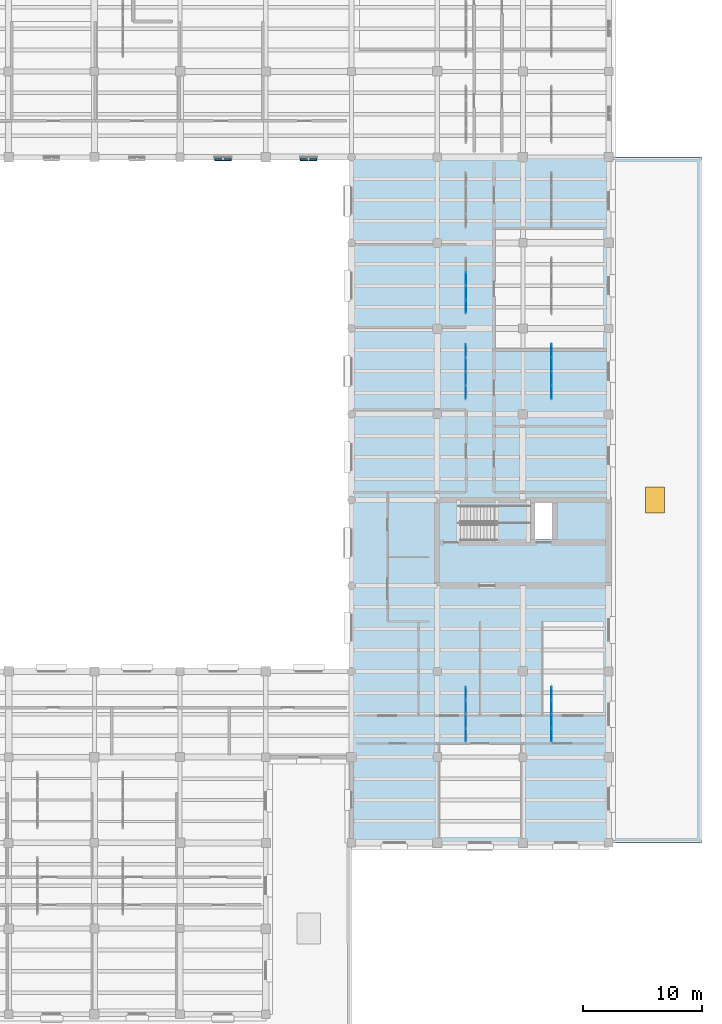
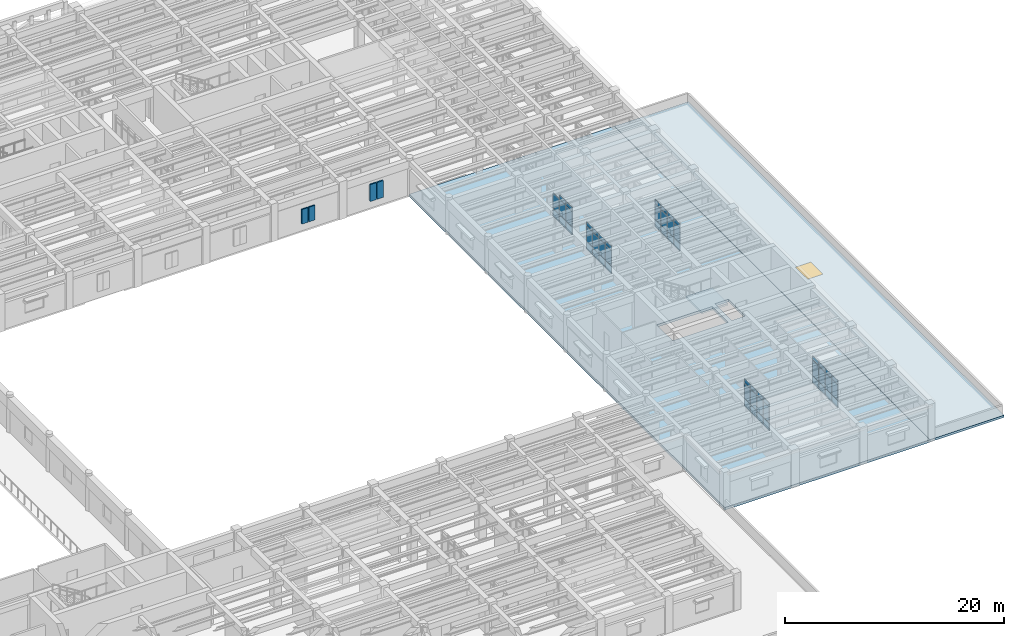
# One storey, part 44 of 76: 60 plates, 3 slabs, 1 window, 1 opening, 6 elements without a shape of their own.
"""IFC4 building model written with IfcOpenShell, lengths in metres."""

from ifc_helpers import new_model, si_unit, direction, frame, origin, origin_2d, place, context, subcontext, project, spatial, polyline, rectangle, outline, extrude, material, layer, layer_set, type_object, element, fill, aggregate, save


model = new_model("IFC4")

# Units and contexts
model_context = context("Model", 3, precision=1e-05, world=origin(), true_north=direction((0.0, 1.0)))
body_context = subcontext(model_context, "Body", "Model", "MODEL_VIEW")
ifc_project = project(units=[si_unit("LENGTHUNIT", "METRE"), si_unit("AREAUNIT", "SQUARE_METRE"), si_unit("VOLUMEUNIT", "CUBIC_METRE"), si_unit("PLANEANGLEUNIT", "RADIAN"), si_unit("MASSUNIT", "GRAM", prefix="KILO")], contexts=[model_context])

# Site, building, storey
site_placement = place(None, origin())
site = spatial("IfcSite", under=ifc_project, at=site_placement, CompositionType="ELEMENT")
building_placement = place(site_placement, origin())
building = spatial("IfcBuilding", under=site, at=building_placement, Name="Mithqara Police Headquarters", CompositionType="ELEMENT")
storey_placement = place(building_placement, frame((0.0, 0.0, 5.39990234375)))
storey = spatial("IfcBuildingStorey", under=building, at=storey_placement, Name="L01", CompositionType="ELEMENT", Elevation=5.39990234375)

# Curtain wall, plates
ifc_material_1 = material(Name="Bronze anodised aluminium 6063-T6", Category="aluminium")
curtain_wall_type = type_object("IfcCurtainWallType", Name="CURTAIN WALL 4700X3200", PredefinedType="USERDEFINED", material=ifc_material_1)
curtain_wall_1_placement = place(storey_placement, origin())
curtain_wall_1 = element("IfcCurtainWall", 1, at=curtain_wall_1_placement, inside=storey, type_object=curtain_wall_type, Name="L01 Unitised Glazing CW-15 (CW-INT-L01-X21-Y04-0)", ObjectType="UNITISED GLAZING", PredefinedType="USERDEFINED")
ifc_material_2 = material(Name="Spectrally selective double low-e glass", Category="glass")
ifc_layer_1 = layer(ifc_material_2, 0.028076171875, Name="Spectrally selective double low-e glass")
ifc_layer_set_1 = layer_set([ifc_layer_1], Name="Spectrally selective double low-e glass")
plate_type_1 = type_object("IfcPlateType", Name="CWPANEL GLASS28", PredefinedType="CURTAIN_PANEL", material=ifc_layer_set_1)
plate_1_placement = place(storey_placement, frame((154.199951171875, 30.05615234375, 0.074951171875), z_axis=(0.0, 0.0, 1.0), x_axis=(0.0, 1.0, 0.0)))
plate_1 = element("IfcPlate", 2, at=plate_1_placement, type_object=plate_type_1, Name="CW-15 panel 1.1", PredefinedType="CURTAIN_PANEL", context=body_context, shape_type="SweptSolid", body=[
    extrude(rectangle(XDim=1.0625, YDim=0.028076171875, at=origin_2d()), origin(), (0.0, 0.0, 1.0), 0.78759765625),
])
plate_2_placement = place(storey_placement, frame((154.199951171875, 30.05615234375, 0.9375), z_axis=(0.0, 0.0, 1.0), x_axis=(0.0, 1.0, 0.0)))
plate_2 = element("IfcPlate", 3, at=plate_2_placement, type_object=plate_type_1, Name="CW-15 panel 1.2", PredefinedType="CURTAIN_PANEL", context=body_context, shape_type="SweptSolid", body=[
    extrude(rectangle(XDim=1.0625, YDim=0.028076171875, at=origin_2d()), origin(), (0.0, 0.0, 1.0), 1.675048828125),
])
plate_3_placement = place(storey_placement, frame((154.199951171875, 30.05615234375, 2.6875), z_axis=(0.0, 0.0, 1.0), x_axis=(0.0, 1.0, 0.0)))
plate_3 = element("IfcPlate", 4, at=plate_3_placement, type_object=plate_type_1, Name="CW-15 panel 1.3", PredefinedType="CURTAIN_PANEL", context=body_context, shape_type="SweptSolid", body=[
    extrude(rectangle(XDim=1.0625, YDim=0.028076171875, at=origin_2d()), origin(), (0.0, 0.0, 1.0), 0.4375),
])
plate_4_placement = place(storey_placement, frame((154.199951171875, 31.21240234375, 0.074951171875), z_axis=(0.0, 0.0, 1.0), x_axis=(0.0, 1.0, 0.0)))
plate_4 = element("IfcPlate", 5, at=plate_4_placement, type_object=plate_type_1, Name="CW-15 panel 2.1", PredefinedType="CURTAIN_PANEL", context=body_context, shape_type="SweptSolid", body=[
    extrude(rectangle(XDim=1.10009765625, YDim=0.028076171875, at=origin_2d()), origin(), (0.0, 0.0, 1.0), 0.78759765625),
])
plate_5_placement = place(storey_placement, frame((154.199951171875, 31.21240234375, 0.9375), z_axis=(0.0, 0.0, 1.0), x_axis=(0.0, 1.0, 0.0)))
plate_5 = element("IfcPlate", 6, at=plate_5_placement, type_object=plate_type_1, Name="CW-15 panel 2.2", PredefinedType="CURTAIN_PANEL", context=body_context, shape_type="SweptSolid", body=[
    extrude(rectangle(XDim=1.10009765625, YDim=0.028076171875, at=origin_2d()), origin(), (0.0, 0.0, 1.0), 1.675048828125),
])
plate_6_placement = place(storey_placement, frame((154.199951171875, 31.21240234375, 2.6875), z_axis=(0.0, 0.0, 1.0), x_axis=(0.0, 1.0, 0.0)))
plate_6 = element("IfcPlate", 7, at=plate_6_placement, type_object=plate_type_1, Name="CW-15 panel 2.3", PredefinedType="CURTAIN_PANEL", context=body_context, shape_type="SweptSolid", body=[
    extrude(rectangle(XDim=1.10009765625, YDim=0.028076171875, at=origin_2d()), origin(), (0.0, 0.0, 1.0), 0.4375),
])
plate_7_placement = place(storey_placement, frame((154.199951171875, 32.387451171875, 0.074951171875), z_axis=(0.0, 0.0, 1.0), x_axis=(0.0, 1.0, 0.0)))
plate_7 = element("IfcPlate", 8, at=plate_7_placement, type_object=plate_type_1, Name="CW-15 panel 3.1", PredefinedType="CURTAIN_PANEL", context=body_context, shape_type="SweptSolid", body=[
    extrude(rectangle(XDim=1.10009765625, YDim=0.028076171875, at=origin_2d()), origin(), (0.0, 0.0, 1.0), 0.78759765625),
])
plate_8_placement = place(storey_placement, frame((154.199951171875, 32.387451171875, 0.9375), z_axis=(0.0, 0.0, 1.0), x_axis=(0.0, 1.0, 0.0)))
plate_8 = element("IfcPlate", 9, at=plate_8_placement, type_object=plate_type_1, Name="CW-15 panel 3.2", PredefinedType="CURTAIN_PANEL", context=body_context, shape_type="SweptSolid", body=[
    extrude(rectangle(XDim=1.10009765625, YDim=0.028076171875, at=origin_2d()), origin(), (0.0, 0.0, 1.0), 1.675048828125),
])
plate_9_placement = place(storey_placement, frame((154.199951171875, 32.387451171875, 2.6875), z_axis=(0.0, 0.0, 1.0), x_axis=(0.0, 1.0, 0.0)))
plate_9 = element("IfcPlate", 10, at=plate_9_placement, type_object=plate_type_1, Name="CW-15 panel 3.3", PredefinedType="CURTAIN_PANEL", context=body_context, shape_type="SweptSolid", body=[
    extrude(rectangle(XDim=1.10009765625, YDim=0.028076171875, at=origin_2d()), origin(), (0.0, 0.0, 1.0), 0.4375),
])
plate_10_placement = place(storey_placement, frame((154.199951171875, 33.543701171875, 0.074951171875), z_axis=(0.0, 0.0, 1.0), x_axis=(0.0, 1.0, 0.0)))
plate_10 = element("IfcPlate", 11, at=plate_10_placement, type_object=plate_type_1, Name="CW-15 panel 4.1", PredefinedType="CURTAIN_PANEL", context=body_context, shape_type="SweptSolid", body=[
    extrude(rectangle(XDim=1.0625, YDim=0.028076171875, at=origin_2d()), origin(), (0.0, 0.0, 1.0), 0.78759765625),
])
plate_11_placement = place(storey_placement, frame((154.199951171875, 33.543701171875, 0.9375), z_axis=(0.0, 0.0, 1.0), x_axis=(0.0, 1.0, 0.0)))
plate_11 = element("IfcPlate", 12, at=plate_11_placement, type_object=plate_type_1, Name="CW-15 panel 4.2", PredefinedType="CURTAIN_PANEL", context=body_context, shape_type="SweptSolid", body=[
    extrude(rectangle(XDim=1.0625, YDim=0.028076171875, at=origin_2d()), origin(), (0.0, 0.0, 1.0), 1.675048828125),
])
plate_12_placement = place(storey_placement, frame((154.199951171875, 33.543701171875, 2.6875), z_axis=(0.0, 0.0, 1.0), x_axis=(0.0, 1.0, 0.0)))
plate_12 = element("IfcPlate", 13, at=plate_12_placement, type_object=plate_type_1, Name="CW-15 panel 4.3", PredefinedType="CURTAIN_PANEL", context=body_context, shape_type="SweptSolid", body=[
    extrude(rectangle(XDim=1.0625, YDim=0.028076171875, at=origin_2d()), origin(), (0.0, 0.0, 1.0), 0.4375),
])
aggregate(curtain_wall_1, [plate_1, plate_2, plate_3, plate_4, plate_5, plate_6, plate_7, plate_8, plate_9, plate_10, plate_11, plate_12])

curtain_wall_2_placement = place(storey_placement, origin())
curtain_wall_2 = element("IfcCurtainWall", 14, at=curtain_wall_2_placement, inside=storey, type_object=curtain_wall_type, Name="L01 Unitised Glazing CW-15 (CW-INT-L01-X21-Y08-0)", ObjectType="UNITISED GLAZING", PredefinedType="USERDEFINED")
plate_13_placement = place(storey_placement, frame((154.199951171875, 58.856201171875, 0.074951171875), z_axis=(0.0, 0.0, 1.0), x_axis=(0.0, 1.0, 0.0)))
plate_13 = element("IfcPlate", 15, at=plate_13_placement, type_object=plate_type_1, Name="CW-15 panel 1.1", PredefinedType="CURTAIN_PANEL", context=body_context, shape_type="SweptSolid", body=[
    extrude(rectangle(XDim=1.0625, YDim=0.028076171875, at=origin_2d()), origin(), (0.0, 0.0, 1.0), 0.78759765625),
])
plate_14_placement = place(storey_placement, frame((154.199951171875, 58.856201171875, 0.9375), z_axis=(0.0, 0.0, 1.0), x_axis=(0.0, 1.0, 0.0)))
plate_14 = element("IfcPlate", 16, at=plate_14_placement, type_object=plate_type_1, Name="CW-15 panel 1.2", PredefinedType="CURTAIN_PANEL", context=body_context, shape_type="SweptSolid", body=[
    extrude(rectangle(XDim=1.0625, YDim=0.028076171875, at=origin_2d()), origin(), (0.0, 0.0, 1.0), 1.675048828125),
])
plate_15_placement = place(storey_placement, frame((154.199951171875, 58.856201171875, 2.6875), z_axis=(0.0, 0.0, 1.0), x_axis=(0.0, 1.0, 0.0)))
plate_15 = element("IfcPlate", 17, at=plate_15_placement, type_object=plate_type_1, Name="CW-15 panel 1.3", PredefinedType="CURTAIN_PANEL", context=body_context, shape_type="SweptSolid", body=[
    extrude(rectangle(XDim=1.0625, YDim=0.028076171875, at=origin_2d()), origin(), (0.0, 0.0, 1.0), 0.4375),
])
plate_16_placement = place(storey_placement, frame((154.199951171875, 60.012451171875, 0.074951171875), z_axis=(0.0, 0.0, 1.0), x_axis=(0.0, 1.0, 0.0)))
plate_16 = element("IfcPlate", 18, at=plate_16_placement, type_object=plate_type_1, Name="CW-15 panel 2.1", PredefinedType="CURTAIN_PANEL", context=body_context, shape_type="SweptSolid", body=[
    extrude(rectangle(XDim=1.10009765625, YDim=0.028076171875, at=origin_2d()), origin(), (0.0, 0.0, 1.0), 0.78759765625),
])
plate_17_placement = place(storey_placement, frame((154.199951171875, 60.012451171875, 0.9375), z_axis=(0.0, 0.0, 1.0), x_axis=(0.0, 1.0, 0.0)))
plate_17 = element("IfcPlate", 19, at=plate_17_placement, type_object=plate_type_1, Name="CW-15 panel 2.2", PredefinedType="CURTAIN_PANEL", context=body_context, shape_type="SweptSolid", body=[
    extrude(rectangle(XDim=1.10009765625, YDim=0.028076171875, at=origin_2d()), origin(), (0.0, 0.0, 1.0), 1.675048828125),
])
plate_18_placement = place(storey_placement, frame((154.199951171875, 60.012451171875, 2.6875), z_axis=(0.0, 0.0, 1.0), x_axis=(0.0, 1.0, 0.0)))
plate_18 = element("IfcPlate", 20, at=plate_18_placement, type_object=plate_type_1, Name="CW-15 panel 2.3", PredefinedType="CURTAIN_PANEL", context=body_context, shape_type="SweptSolid", body=[
    extrude(rectangle(XDim=1.10009765625, YDim=0.028076171875, at=origin_2d()), origin(), (0.0, 0.0, 1.0), 0.4375),
])
plate_19_placement = place(storey_placement, frame((154.199951171875, 61.1875, 0.074951171875), z_axis=(0.0, 0.0, 1.0), x_axis=(0.0, 1.0, 0.0)))
plate_19 = element("IfcPlate", 21, at=plate_19_placement, type_object=plate_type_1, Name="CW-15 panel 3.1", PredefinedType="CURTAIN_PANEL", context=body_context, shape_type="SweptSolid", body=[
    extrude(rectangle(XDim=1.10009765625, YDim=0.028076171875, at=origin_2d()), origin(), (0.0, 0.0, 1.0), 0.78759765625),
])
plate_20_placement = place(storey_placement, frame((154.199951171875, 61.1875, 0.9375), z_axis=(0.0, 0.0, 1.0), x_axis=(0.0, 1.0, 0.0)))
plate_20 = element("IfcPlate", 22, at=plate_20_placement, type_object=plate_type_1, Name="CW-15 panel 3.2", PredefinedType="CURTAIN_PANEL", context=body_context, shape_type="SweptSolid", body=[
    extrude(rectangle(XDim=1.10009765625, YDim=0.028076171875, at=origin_2d()), origin(), (0.0, 0.0, 1.0), 1.675048828125),
])
plate_21_placement = place(storey_placement, frame((154.199951171875, 61.1875, 2.6875), z_axis=(0.0, 0.0, 1.0), x_axis=(0.0, 1.0, 0.0)))
plate_21 = element("IfcPlate", 23, at=plate_21_placement, type_object=plate_type_1, Name="CW-15 panel 3.3", PredefinedType="CURTAIN_PANEL", context=body_context, shape_type="SweptSolid", body=[
    extrude(rectangle(XDim=1.10009765625, YDim=0.028076171875, at=origin_2d()), origin(), (0.0, 0.0, 1.0), 0.4375),
])
plate_22_placement = place(storey_placement, frame((154.199951171875, 62.34375, 0.074951171875), z_axis=(0.0, 0.0, 1.0), x_axis=(0.0, 1.0, 0.0)))
plate_22 = element("IfcPlate", 24, at=plate_22_placement, type_object=plate_type_1, Name="CW-15 panel 4.1", PredefinedType="CURTAIN_PANEL", context=body_context, shape_type="SweptSolid", body=[
    extrude(rectangle(XDim=1.0625, YDim=0.028076171875, at=origin_2d()), origin(), (0.0, 0.0, 1.0), 0.78759765625),
])
plate_23_placement = place(storey_placement, frame((154.199951171875, 62.34375, 0.9375), z_axis=(0.0, 0.0, 1.0), x_axis=(0.0, 1.0, 0.0)))
plate_23 = element("IfcPlate", 25, at=plate_23_placement, type_object=plate_type_1, Name="CW-15 panel 4.2", PredefinedType="CURTAIN_PANEL", context=body_context, shape_type="SweptSolid", body=[
    extrude(rectangle(XDim=1.0625, YDim=0.028076171875, at=origin_2d()), origin(), (0.0, 0.0, 1.0), 1.675048828125),
])
plate_24_placement = place(storey_placement, frame((154.199951171875, 62.34375, 2.6875), z_axis=(0.0, 0.0, 1.0), x_axis=(0.0, 1.0, 0.0)))
plate_24 = element("IfcPlate", 26, at=plate_24_placement, type_object=plate_type_1, Name="CW-15 panel 4.3", PredefinedType="CURTAIN_PANEL", context=body_context, shape_type="SweptSolid", body=[
    extrude(rectangle(XDim=1.0625, YDim=0.028076171875, at=origin_2d()), origin(), (0.0, 0.0, 1.0), 0.4375),
])
aggregate(curtain_wall_2, [plate_13, plate_14, plate_15, plate_16, plate_17, plate_18, plate_19, plate_20, plate_21, plate_22, plate_23, plate_24])

curtain_wall_3_placement = place(storey_placement, origin())
curtain_wall_3 = element("IfcCurtainWall", 27, at=curtain_wall_3_placement, inside=storey, type_object=curtain_wall_type, Name="L01 Unitised Glazing CW-15 (CW-INT-L01-X22-Y04-0)", ObjectType="UNITISED GLAZING", PredefinedType="USERDEFINED")
plate_25_placement = place(storey_placement, frame((161.39990234375, 30.05615234375, 0.074951171875), z_axis=(0.0, 0.0, 1.0), x_axis=(0.0, 1.0, 0.0)))
plate_25 = element("IfcPlate", 28, at=plate_25_placement, type_object=plate_type_1, Name="CW-15 panel 1.1", PredefinedType="CURTAIN_PANEL", context=body_context, shape_type="SweptSolid", body=[
    extrude(rectangle(XDim=1.0625, YDim=0.028076171875, at=origin_2d()), origin(), (0.0, 0.0, 1.0), 0.78759765625),
])
plate_26_placement = place(storey_placement, frame((161.39990234375, 30.05615234375, 0.9375), z_axis=(0.0, 0.0, 1.0), x_axis=(0.0, 1.0, 0.0)))
plate_26 = element("IfcPlate", 29, at=plate_26_placement, type_object=plate_type_1, Name="CW-15 panel 1.2", PredefinedType="CURTAIN_PANEL", context=body_context, shape_type="SweptSolid", body=[
    extrude(rectangle(XDim=1.0625, YDim=0.028076171875, at=origin_2d()), origin(), (0.0, 0.0, 1.0), 1.675048828125),
])
plate_27_placement = place(storey_placement, frame((161.39990234375, 30.05615234375, 2.6875), z_axis=(0.0, 0.0, 1.0), x_axis=(0.0, 1.0, 0.0)))
plate_27 = element("IfcPlate", 30, at=plate_27_placement, type_object=plate_type_1, Name="CW-15 panel 1.3", PredefinedType="CURTAIN_PANEL", context=body_context, shape_type="SweptSolid", body=[
    extrude(rectangle(XDim=1.0625, YDim=0.028076171875, at=origin_2d()), origin(), (0.0, 0.0, 1.0), 0.4375),
])
plate_28_placement = place(storey_placement, frame((161.39990234375, 31.21240234375, 0.074951171875), z_axis=(0.0, 0.0, 1.0), x_axis=(0.0, 1.0, 0.0)))
plate_28 = element("IfcPlate", 31, at=plate_28_placement, type_object=plate_type_1, Name="CW-15 panel 2.1", PredefinedType="CURTAIN_PANEL", context=body_context, shape_type="SweptSolid", body=[
    extrude(rectangle(XDim=1.10009765625, YDim=0.028076171875, at=origin_2d()), origin(), (0.0, 0.0, 1.0), 0.78759765625),
])
plate_29_placement = place(storey_placement, frame((161.39990234375, 31.21240234375, 0.9375), z_axis=(0.0, 0.0, 1.0), x_axis=(0.0, 1.0, 0.0)))
plate_29 = element("IfcPlate", 32, at=plate_29_placement, type_object=plate_type_1, Name="CW-15 panel 2.2", PredefinedType="CURTAIN_PANEL", context=body_context, shape_type="SweptSolid", body=[
    extrude(rectangle(XDim=1.10009765625, YDim=0.028076171875, at=origin_2d()), origin(), (0.0, 0.0, 1.0), 1.675048828125),
])
plate_30_placement = place(storey_placement, frame((161.39990234375, 31.21240234375, 2.6875), z_axis=(0.0, 0.0, 1.0), x_axis=(0.0, 1.0, 0.0)))
plate_30 = element("IfcPlate", 33, at=plate_30_placement, type_object=plate_type_1, Name="CW-15 panel 2.3", PredefinedType="CURTAIN_PANEL", context=body_context, shape_type="SweptSolid", body=[
    extrude(rectangle(XDim=1.10009765625, YDim=0.028076171875, at=origin_2d()), origin(), (0.0, 0.0, 1.0), 0.4375),
])
plate_31_placement = place(storey_placement, frame((161.39990234375, 32.387451171875, 0.074951171875), z_axis=(0.0, 0.0, 1.0), x_axis=(0.0, 1.0, 0.0)))
plate_31 = element("IfcPlate", 34, at=plate_31_placement, type_object=plate_type_1, Name="CW-15 panel 3.1", PredefinedType="CURTAIN_PANEL", context=body_context, shape_type="SweptSolid", body=[
    extrude(rectangle(XDim=1.10009765625, YDim=0.028076171875, at=origin_2d()), origin(), (0.0, 0.0, 1.0), 0.78759765625),
])
plate_32_placement = place(storey_placement, frame((161.39990234375, 32.387451171875, 0.9375), z_axis=(0.0, 0.0, 1.0), x_axis=(0.0, 1.0, 0.0)))
plate_32 = element("IfcPlate", 35, at=plate_32_placement, type_object=plate_type_1, Name="CW-15 panel 3.2", PredefinedType="CURTAIN_PANEL", context=body_context, shape_type="SweptSolid", body=[
    extrude(rectangle(XDim=1.10009765625, YDim=0.028076171875, at=origin_2d()), origin(), (0.0, 0.0, 1.0), 1.675048828125),
])
plate_33_placement = place(storey_placement, frame((161.39990234375, 32.387451171875, 2.6875), z_axis=(0.0, 0.0, 1.0), x_axis=(0.0, 1.0, 0.0)))
plate_33 = element("IfcPlate", 36, at=plate_33_placement, type_object=plate_type_1, Name="CW-15 panel 3.3", PredefinedType="CURTAIN_PANEL", context=body_context, shape_type="SweptSolid", body=[
    extrude(rectangle(XDim=1.10009765625, YDim=0.028076171875, at=origin_2d()), origin(), (0.0, 0.0, 1.0), 0.4375),
])
plate_34_placement = place(storey_placement, frame((161.39990234375, 33.543701171875, 0.074951171875), z_axis=(0.0, 0.0, 1.0), x_axis=(0.0, 1.0, 0.0)))
plate_34 = element("IfcPlate", 37, at=plate_34_placement, type_object=plate_type_1, Name="CW-15 panel 4.1", PredefinedType="CURTAIN_PANEL", context=body_context, shape_type="SweptSolid", body=[
    extrude(rectangle(XDim=1.0625, YDim=0.028076171875, at=origin_2d()), origin(), (0.0, 0.0, 1.0), 0.78759765625),
])
plate_35_placement = place(storey_placement, frame((161.39990234375, 33.543701171875, 0.9375), z_axis=(0.0, 0.0, 1.0), x_axis=(0.0, 1.0, 0.0)))
plate_35 = element("IfcPlate", 38, at=plate_35_placement, type_object=plate_type_1, Name="CW-15 panel 4.2", PredefinedType="CURTAIN_PANEL", context=body_context, shape_type="SweptSolid", body=[
    extrude(rectangle(XDim=1.0625, YDim=0.028076171875, at=origin_2d()), origin(), (0.0, 0.0, 1.0), 1.675048828125),
])
plate_36_placement = place(storey_placement, frame((161.39990234375, 33.543701171875, 2.6875), z_axis=(0.0, 0.0, 1.0), x_axis=(0.0, 1.0, 0.0)))
plate_36 = element("IfcPlate", 39, at=plate_36_placement, type_object=plate_type_1, Name="CW-15 panel 4.3", PredefinedType="CURTAIN_PANEL", context=body_context, shape_type="SweptSolid", body=[
    extrude(rectangle(XDim=1.0625, YDim=0.028076171875, at=origin_2d()), origin(), (0.0, 0.0, 1.0), 0.4375),
])
aggregate(curtain_wall_3, [plate_25, plate_26, plate_27, plate_28, plate_29, plate_30, plate_31, plate_32, plate_33, plate_34, plate_35, plate_36])

curtain_wall_4_placement = place(storey_placement, origin())
curtain_wall_4 = element("IfcCurtainWall", 40, at=curtain_wall_4_placement, inside=storey, type_object=curtain_wall_type, Name="L01 Unitised Glazing CW-15 (CW-INT-L01-X22-Y08-0)", ObjectType="UNITISED GLAZING", PredefinedType="USERDEFINED")
plate_37_placement = place(storey_placement, frame((161.39990234375, 58.856201171875, 0.074951171875), z_axis=(0.0, 0.0, 1.0), x_axis=(0.0, 1.0, 0.0)))
plate_37 = element("IfcPlate", 41, at=plate_37_placement, type_object=plate_type_1, Name="CW-15 panel 1.1", PredefinedType="CURTAIN_PANEL", context=body_context, shape_type="SweptSolid", body=[
    extrude(rectangle(XDim=1.0625, YDim=0.028076171875, at=origin_2d()), origin(), (0.0, 0.0, 1.0), 0.78759765625),
])
plate_38_placement = place(storey_placement, frame((161.39990234375, 58.856201171875, 0.9375), z_axis=(0.0, 0.0, 1.0), x_axis=(0.0, 1.0, 0.0)))
plate_38 = element("IfcPlate", 42, at=plate_38_placement, type_object=plate_type_1, Name="CW-15 panel 1.2", PredefinedType="CURTAIN_PANEL", context=body_context, shape_type="SweptSolid", body=[
    extrude(rectangle(XDim=1.0625, YDim=0.028076171875, at=origin_2d()), origin(), (0.0, 0.0, 1.0), 1.675048828125),
])
plate_39_placement = place(storey_placement, frame((161.39990234375, 58.856201171875, 2.6875), z_axis=(0.0, 0.0, 1.0), x_axis=(0.0, 1.0, 0.0)))
plate_39 = element("IfcPlate", 43, at=plate_39_placement, type_object=plate_type_1, Name="CW-15 panel 1.3", PredefinedType="CURTAIN_PANEL", context=body_context, shape_type="SweptSolid", body=[
    extrude(rectangle(XDim=1.0625, YDim=0.028076171875, at=origin_2d()), origin(), (0.0, 0.0, 1.0), 0.4375),
])
plate_40_placement = place(storey_placement, frame((161.39990234375, 60.012451171875, 0.074951171875), z_axis=(0.0, 0.0, 1.0), x_axis=(0.0, 1.0, 0.0)))
plate_40 = element("IfcPlate", 44, at=plate_40_placement, type_object=plate_type_1, Name="CW-15 panel 2.1", PredefinedType="CURTAIN_PANEL", context=body_context, shape_type="SweptSolid", body=[
    extrude(rectangle(XDim=1.10009765625, YDim=0.028076171875, at=origin_2d()), origin(), (0.0, 0.0, 1.0), 0.78759765625),
])
plate_41_placement = place(storey_placement, frame((161.39990234375, 60.012451171875, 0.9375), z_axis=(0.0, 0.0, 1.0), x_axis=(0.0, 1.0, 0.0)))
plate_41 = element("IfcPlate", 45, at=plate_41_placement, type_object=plate_type_1, Name="CW-15 panel 2.2", PredefinedType="CURTAIN_PANEL", context=body_context, shape_type="SweptSolid", body=[
    extrude(rectangle(XDim=1.10009765625, YDim=0.028076171875, at=origin_2d()), origin(), (0.0, 0.0, 1.0), 1.675048828125),
])
plate_42_placement = place(storey_placement, frame((161.39990234375, 60.012451171875, 2.6875), z_axis=(0.0, 0.0, 1.0), x_axis=(0.0, 1.0, 0.0)))
plate_42 = element("IfcPlate", 46, at=plate_42_placement, type_object=plate_type_1, Name="CW-15 panel 2.3", PredefinedType="CURTAIN_PANEL", context=body_context, shape_type="SweptSolid", body=[
    extrude(rectangle(XDim=1.10009765625, YDim=0.028076171875, at=origin_2d()), origin(), (0.0, 0.0, 1.0), 0.4375),
])
plate_43_placement = place(storey_placement, frame((161.39990234375, 61.1875, 0.074951171875), z_axis=(0.0, 0.0, 1.0), x_axis=(0.0, 1.0, 0.0)))
plate_43 = element("IfcPlate", 47, at=plate_43_placement, type_object=plate_type_1, Name="CW-15 panel 3.1", PredefinedType="CURTAIN_PANEL", context=body_context, shape_type="SweptSolid", body=[
    extrude(rectangle(XDim=1.10009765625, YDim=0.028076171875, at=origin_2d()), origin(), (0.0, 0.0, 1.0), 0.78759765625),
])
plate_44_placement = place(storey_placement, frame((161.39990234375, 61.1875, 0.9375), z_axis=(0.0, 0.0, 1.0), x_axis=(0.0, 1.0, 0.0)))
plate_44 = element("IfcPlate", 48, at=plate_44_placement, type_object=plate_type_1, Name="CW-15 panel 3.2", PredefinedType="CURTAIN_PANEL", context=body_context, shape_type="SweptSolid", body=[
    extrude(rectangle(XDim=1.10009765625, YDim=0.028076171875, at=origin_2d()), origin(), (0.0, 0.0, 1.0), 1.675048828125),
])
plate_45_placement = place(storey_placement, frame((161.39990234375, 61.1875, 2.6875), z_axis=(0.0, 0.0, 1.0), x_axis=(0.0, 1.0, 0.0)))
plate_45 = element("IfcPlate", 49, at=plate_45_placement, type_object=plate_type_1, Name="CW-15 panel 3.3", PredefinedType="CURTAIN_PANEL", context=body_context, shape_type="SweptSolid", body=[
    extrude(rectangle(XDim=1.10009765625, YDim=0.028076171875, at=origin_2d()), origin(), (0.0, 0.0, 1.0), 0.4375),
])
plate_46_placement = place(storey_placement, frame((161.39990234375, 62.34375, 0.074951171875), z_axis=(0.0, 0.0, 1.0), x_axis=(0.0, 1.0, 0.0)))
plate_46 = element("IfcPlate", 50, at=plate_46_placement, type_object=plate_type_1, Name="CW-15 panel 4.1", PredefinedType="CURTAIN_PANEL", context=body_context, shape_type="SweptSolid", body=[
    extrude(rectangle(XDim=1.0625, YDim=0.028076171875, at=origin_2d()), origin(), (0.0, 0.0, 1.0), 0.78759765625),
])
plate_47_placement = place(storey_placement, frame((161.39990234375, 62.34375, 0.9375), z_axis=(0.0, 0.0, 1.0), x_axis=(0.0, 1.0, 0.0)))
plate_47 = element("IfcPlate", 51, at=plate_47_placement, type_object=plate_type_1, Name="CW-15 panel 4.2", PredefinedType="CURTAIN_PANEL", context=body_context, shape_type="SweptSolid", body=[
    extrude(rectangle(XDim=1.0625, YDim=0.028076171875, at=origin_2d()), origin(), (0.0, 0.0, 1.0), 1.675048828125),
])
plate_48_placement = place(storey_placement, frame((161.39990234375, 62.34375, 2.6875), z_axis=(0.0, 0.0, 1.0), x_axis=(0.0, 1.0, 0.0)))
plate_48 = element("IfcPlate", 52, at=plate_48_placement, type_object=plate_type_1, Name="CW-15 panel 4.3", PredefinedType="CURTAIN_PANEL", context=body_context, shape_type="SweptSolid", body=[
    extrude(rectangle(XDim=1.0625, YDim=0.028076171875, at=origin_2d()), origin(), (0.0, 0.0, 1.0), 0.4375),
])
aggregate(curtain_wall_4, [plate_37, plate_38, plate_39, plate_40, plate_41, plate_42, plate_43, plate_44, plate_45, plate_46, plate_47, plate_48])

curtain_wall_5_placement = place(storey_placement, origin())
curtain_wall_5 = element("IfcCurtainWall", 53, at=curtain_wall_5_placement, inside=storey, type_object=curtain_wall_type, Name="L01 Unitised Glazing CW-15 (CW-INT-L01-X21-Y09-0)", ObjectType="UNITISED GLAZING", PredefinedType="USERDEFINED")
ifc_material_3 = material(Name="Insulated bronze aluminium spandrel panel", Category="aluminium")
ifc_layer_2 = layer(ifc_material_3, 0.048095703125, Name="Insulated bronze aluminium spandrel panel")
ifc_layer_set_2 = layer_set([ifc_layer_2], Name="Insulated bronze aluminium spandrel panel")
plate_type_2 = type_object("IfcPlateType", Name="CWPANEL SPANDREL48", PredefinedType="CURTAIN_PANEL", material=ifc_layer_set_2)
plate_49_placement = place(storey_placement, frame((154.199951171875, 66.05615234375, 0.074951171875), z_axis=(0.0, 0.0, 1.0), x_axis=(0.0, 1.0, 0.0)))
plate_49 = element("IfcPlate", 54, at=plate_49_placement, type_object=plate_type_2, Name="CW-15 panel 1.1", PredefinedType="CURTAIN_PANEL", context=body_context, shape_type="SweptSolid", body=[
    extrude(rectangle(XDim=1.0625, YDim=0.048095703125, at=origin_2d()), origin(), (0.0, 0.0, 1.0), 0.78759765625),
])
plate_50_placement = place(storey_placement, frame((154.199951171875, 66.05615234375, 0.9375), z_axis=(0.0, 0.0, 1.0), x_axis=(0.0, 1.0, 0.0)))
plate_50 = element("IfcPlate", 55, at=plate_50_placement, type_object=plate_type_2, Name="CW-15 panel 1.2", PredefinedType="CURTAIN_PANEL", context=body_context, shape_type="SweptSolid", body=[
    extrude(rectangle(XDim=1.0625, YDim=0.048095703125, at=origin_2d()), origin(), (0.0, 0.0, 1.0), 1.675048828125),
])
plate_51_placement = place(storey_placement, frame((154.199951171875, 66.05615234375, 2.6875), z_axis=(0.0, 0.0, 1.0), x_axis=(0.0, 1.0, 0.0)))
plate_51 = element("IfcPlate", 56, at=plate_51_placement, type_object=plate_type_2, Name="CW-15 panel 1.3", PredefinedType="CURTAIN_PANEL", context=body_context, shape_type="SweptSolid", body=[
    extrude(rectangle(XDim=1.0625, YDim=0.048095703125, at=origin_2d()), origin(), (0.0, 0.0, 1.0), 0.4375),
])
plate_52_placement = place(storey_placement, frame((154.199951171875, 67.21240234375, 0.074951171875), z_axis=(0.0, 0.0, 1.0), x_axis=(0.0, 1.0, 0.0)))
plate_52 = element("IfcPlate", 57, at=plate_52_placement, type_object=plate_type_2, Name="CW-15 panel 2.1", PredefinedType="CURTAIN_PANEL", context=body_context, shape_type="SweptSolid", body=[
    extrude(rectangle(XDim=1.10009765625, YDim=0.048095703125, at=origin_2d()), origin(), (0.0, 0.0, 1.0), 0.78759765625),
])
plate_53_placement = place(storey_placement, frame((154.199951171875, 67.21240234375, 0.9375), z_axis=(0.0, 0.0, 1.0), x_axis=(0.0, 1.0, 0.0)))
plate_53 = element("IfcPlate", 58, at=plate_53_placement, type_object=plate_type_2, Name="CW-15 panel 2.2", PredefinedType="CURTAIN_PANEL", context=body_context, shape_type="SweptSolid", body=[
    extrude(rectangle(XDim=1.10009765625, YDim=0.048095703125, at=origin_2d()), origin(), (0.0, 0.0, 1.0), 1.675048828125),
])
plate_54_placement = place(storey_placement, frame((154.199951171875, 67.21240234375, 2.6875), z_axis=(0.0, 0.0, 1.0), x_axis=(0.0, 1.0, 0.0)))
plate_54 = element("IfcPlate", 59, at=plate_54_placement, type_object=plate_type_2, Name="CW-15 panel 2.3", PredefinedType="CURTAIN_PANEL", context=body_context, shape_type="SweptSolid", body=[
    extrude(rectangle(XDim=1.10009765625, YDim=0.048095703125, at=origin_2d()), origin(), (0.0, 0.0, 1.0), 0.4375),
])
plate_55_placement = place(storey_placement, frame((154.199951171875, 68.387451171875, 0.074951171875), z_axis=(0.0, 0.0, 1.0), x_axis=(0.0, 1.0, 0.0)))
plate_55 = element("IfcPlate", 60, at=plate_55_placement, type_object=plate_type_2, Name="CW-15 panel 3.1", PredefinedType="CURTAIN_PANEL", context=body_context, shape_type="SweptSolid", body=[
    extrude(rectangle(XDim=1.10009765625, YDim=0.048095703125, at=origin_2d()), origin(), (0.0, 0.0, 1.0), 0.78759765625),
])
plate_56_placement = place(storey_placement, frame((154.199951171875, 68.387451171875, 0.9375), z_axis=(0.0, 0.0, 1.0), x_axis=(0.0, 1.0, 0.0)))
plate_56 = element("IfcPlate", 61, at=plate_56_placement, type_object=plate_type_2, Name="CW-15 panel 3.2", PredefinedType="CURTAIN_PANEL", context=body_context, shape_type="SweptSolid", body=[
    extrude(rectangle(XDim=1.10009765625, YDim=0.048095703125, at=origin_2d()), origin(), (0.0, 0.0, 1.0), 1.675048828125),
])
aggregate(curtain_wall_5, [plate_49, plate_50, plate_51, plate_52, plate_53, plate_54, plate_55, plate_56])

# Slab
ifc_material_4 = material(Name="Concrete C40/50", Category="concrete")
ifc_layer_3 = layer(ifc_material_4, 0.280029296875, Name="Concrete C40/50")
ifc_layer_set_3 = layer_set([ifc_layer_3], Name="Concrete C40/50")
slab_type_1 = type_object("IfcSlabType", Name="FLOOR SLAB 280", PredefinedType="FLOOR", material=ifc_layer_set_3)
slab_1_placement = place(storey_placement, frame((0.0, 0.0, -0.27978515625)))
element("IfcSlab", 62, at=slab_1_placement, inside=storey, type_object=slab_type_1, Name="L01 Structural Slab L01-V6E", PredefinedType="FLOOR", context=body_context, shape_type="SweptSolid", body=[
    extrude(outline(polyline([(166.199951171875, 21.0), (144.60009765625, 21.0), (144.60009765625, 28.199951171875), (144.60009765625, 35.39990234375), (144.60009765625, 78.60009765625), (146.39990234375, 78.60009765625), (150.60009765625, 78.60009765625), (166.199951171875, 78.60009765625), (166.199951171875, 21.0)]), holes=[polyline([(153.75, 46.39990234375), (159.60009765625, 46.39990234375), (159.60009765625, 49.300048828125), (153.75, 49.300048828125), (153.75, 46.39990234375)]), polyline([(161.449951171875, 46.469970703125), (161.449951171875, 49.550048828125), (160.030029296875, 49.550048828125), (160.030029296875, 46.469970703125), (161.449951171875, 46.469970703125)])]), origin(), (0.0, 0.0, 1.0), 0.27978515625),
])

# Slab, opening, window
ifc_layer_4 = layer(ifc_material_4, 0.25, Name="Concrete C40/50")
ifc_layer_set_4 = layer_set([ifc_layer_4], Name="Concrete C40/50")
slab_type_2 = type_object("IfcSlabType", Name="ROOF SLAB 250", PredefinedType="ROOF", material=ifc_layer_set_4)
slab_2_placement = place(storey_placement, frame((0.0, 0.0, -0.25)))
slab_2 = element("IfcSlab", 63, at=slab_2_placement, inside=storey, type_object=slab_type_2, Name="L01 Flat Insulated Roof over L00 Wing 3", PredefinedType="ROOF", context=body_context, shape_type="SweptSolid", body=[
    extrude(outline(polyline([(174.0, 78.60009765625), (174.0, 21.0), (166.219970703125, 21.0), (166.219970703125, 78.60009765625), (174.0, 78.60009765625)]), holes=[polyline([(169.31005859375, 48.699951171875), (170.909912109375, 48.699951171875), (170.909912109375, 50.89990234375), (169.31005859375, 50.89990234375), (169.31005859375, 48.699951171875)])]), origin(), (0.0, 0.0, 1.0), 0.25),
])
opening_placement = place(slab_2_placement, frame((170.110107421875, 49.800048828125, -0.010009765625)))
opening = element("IfcOpeningElement", 64, at=opening_placement, cuts=slab_2, Name="Opening SK-03", PredefinedType="OPENING", context=body_context, shape_type="SweptSolid", body=[
    extrude(rectangle(XDim=1.60009765625, YDim=2.199951171875, at=origin_2d()), origin(), (0.0, 0.0, 1.0), 0.27001953125),
])
window_type = type_object("IfcWindowType", Name="SKYLIGHT 1600X2200", PartitioningType="SINGLE_PANEL", PredefinedType="SKYLIGHT", material=ifc_material_2)
window_placement = place(opening_placement, frame((0.0, 0.0, 0.2099609375)))
window = element("IfcWindow", 65, at=window_placement, inside=storey, type_object=window_type, Name="L01 Roof Daylight Skylight and Access Hatch 3", OverallHeight=2.199951171875, OverallWidth=1.60009765625, PartitioningType="SINGLE_PANEL", PredefinedType="SKYLIGHT", context=body_context, shape_type="SweptSolid", body=[
    extrude(rectangle(XDim=1.60009765625, YDim=2.199951171875, at=origin_2d()), origin(), (0.0, 0.0, 1.0), 0.050048828125),
])
fill(opening, window)

# Stair, slab
stair_type = type_object("IfcStairType", Name="STAIR ST 04-R24", PredefinedType="HALF_TURN_STAIR", material=ifc_material_4)
stair_placement = place(storey_placement, origin())
stair = element("IfcStair", 66, at=stair_placement, inside=storey, type_object=stair_type, Name="L01 Core C4 Forensics East Exit Stair", PredefinedType="HALF_TURN_STAIR")
ifc_layer_5 = layer(ifc_material_4, 0.199951171875, Name="Concrete C40/50")
ifc_layer_set_5 = layer_set([ifc_layer_5], Name="Concrete C40/50")
slab_type_3 = type_object("IfcSlabType", Name="STAIR LANDING 200", PredefinedType="LANDING", material=ifc_layer_set_5)
slab_3_placement = place(storey_placement, frame((0.0, 0.0, 1.900146484375)))
slab_3 = element("IfcSlab", 67, at=slab_3_placement, type_object=slab_type_3, Name="ST-04 landing 1", PredefinedType="LANDING", context=body_context, shape_type="SweptSolid", body=[
    extrude(outline(polyline([(156.830078125, 46.39990234375), (159.60009765625, 46.39990234375), (159.60009765625, 49.300048828125), (156.830078125, 49.300048828125), (156.830078125, 46.39990234375)])), origin(), (0.0, 0.0, 1.0), 0.199951171875),
])
aggregate(stair, [slab_3])

# Plates
ifc_material_5 = material(Name="Limestone ashlar masonry, 45 MPa", Category="masonry")
ifc_layer_6 = layer(ifc_material_5, 0.139892578125, Name="Limestone ashlar masonry, 45 MPa")
ifc_layer_set_6 = layer_set([ifc_layer_6], Name="Limestone ashlar masonry, 45 MPa")
plate_type_3 = type_object("IfcPlateType", Name="STONE SCREEN 140", PredefinedType="USERDEFINED", material=ifc_layer_set_6)
for number, where, z_axis, x_axis, name in (
    (68, (133.4375, 78.3798828125, 0.830078125), (0.0, 0.0, 1.0), (1.0, 0.0, 0.0), "L01 Pierced Limestone Vertical-Slit Panel 71"),
    (69, (134.16259765625, 78.3798828125, 0.830078125), (0.0, 0.0, 1.0), (1.0, 0.0, 0.0), "L01 Pierced Limestone Vertical-Slit Panel 72"),
):
    element("IfcPlate", number, at=place(storey_placement, frame(where, z_axis=z_axis, x_axis=x_axis)), inside=storey, type_object=plate_type_3, Name=name, ObjectType="STONE SCREEN", PredefinedType="USERDEFINED", context=body_context, shape_type="SweptSolid", body=[
        extrude(rectangle(XDim=0.656005859375, YDim=0.139892578125, at=origin_2d()), origin(), (0.0, 0.0, 1.0), 1.639892578125),
    ])
for number, where, z_axis, x_axis, name in (
    (70, (140.637451171875, 78.3798828125, 0.830078125), (0.0, 0.0, 1.0), (1.0, 0.0, 0.0), "L01 Pierced Limestone Vertical-Slit Panel 73"),
    (71, (141.362548828125, 78.3798828125, 0.830078125), (0.0, 0.0, 1.0), (1.0, 0.0, 0.0), "L01 Pierced Limestone Vertical-Slit Panel 74"),
):
    element("IfcPlate", number, at=place(storey_placement, frame(where, z_axis=z_axis, x_axis=x_axis)), inside=storey, type_object=plate_type_3, Name=name, ObjectType="STONE SCREEN", PredefinedType="USERDEFINED", context=body_context, shape_type="SweptSolid", body=[
        extrude(rectangle(XDim=0.656005859375, YDim=0.139892578125, at=origin_2d()), origin(), (0.0, 0.0, 1.0), 1.889892578125),
    ])

save(model, "model.ifc")
